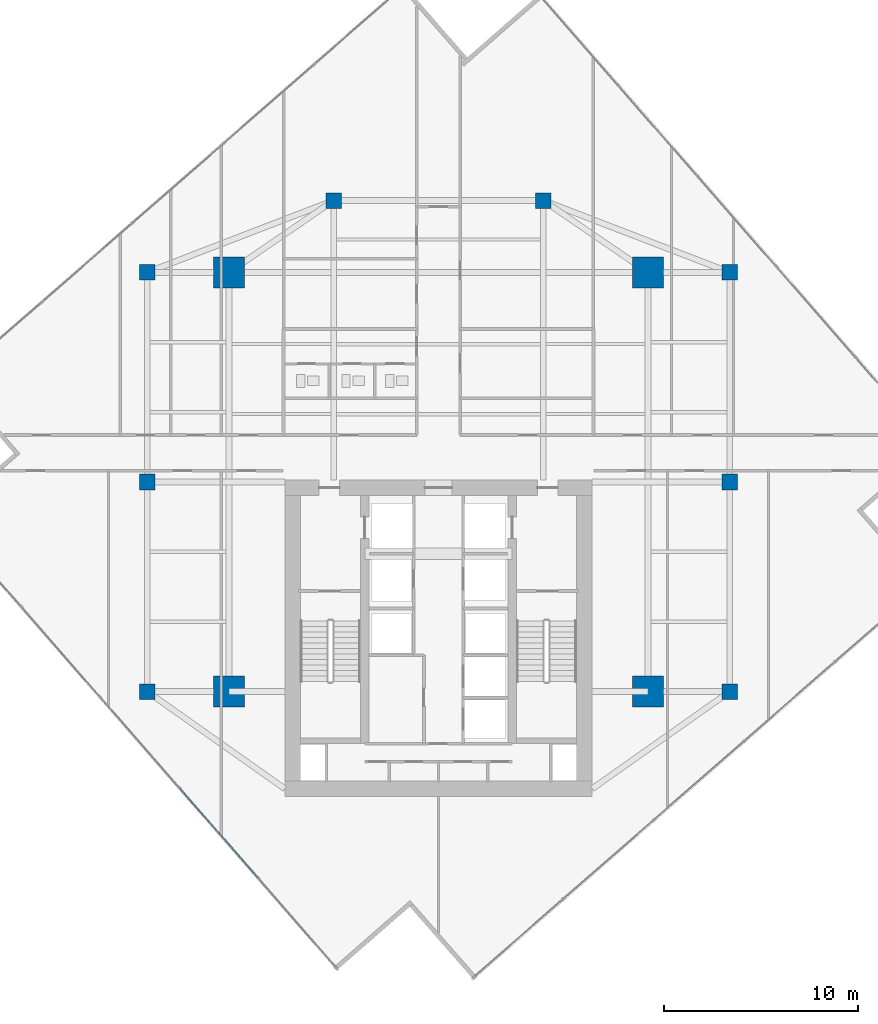
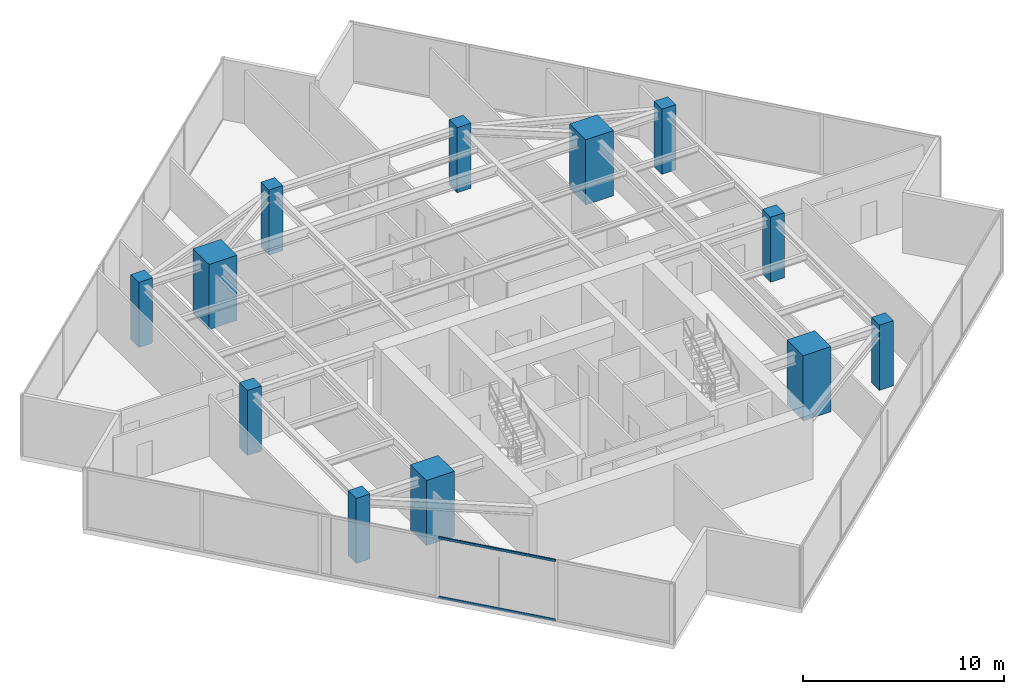
# One storey, part 1 of 24: 12 columns, 2 members, 1 element without a shape of its own.
"""IFC4 building model written with IfcOpenShell, lengths in metres."""

from ifc_helpers import new_model, si_unit, direction, frame, origin, origin_2d, place, context, subcontext, project, spatial, rectangle, hollow_rectangle, extrude, source, transform, mapped, material, material_profile, profile_set, type_object, type_shapes, element, aggregate, save


model = new_model("IFC4")

# Units and contexts
model_context = context("Model", 3, precision=1e-05, world=origin(), true_north=direction((0.0, 1.0)))
body_context = subcontext(model_context, "Body", "Model", "MODEL_VIEW")
ifc_project = project(units=[si_unit("LENGTHUNIT", "METRE"), si_unit("AREAUNIT", "SQUARE_METRE"), si_unit("VOLUMEUNIT", "CUBIC_METRE"), si_unit("PLANEANGLEUNIT", "RADIAN"), si_unit("MASSUNIT", "GRAM", prefix="KILO")], contexts=[model_context])

# Site, building, storey
site_placement = place(None, origin())
site = spatial("IfcSite", under=ifc_project, at=site_placement, CompositionType="ELEMENT")
building_placement = place(site_placement, origin())
building = spatial("IfcBuilding", under=site, at=building_placement, Name="Krantzveldt Concourse Tower", CompositionType="ELEMENT")
storey_placement = place(building_placement, frame((0.0, 0.0, 250.75)))
storey = spatial("IfcBuildingStorey", under=building, at=storey_placement, Name="L61", CompositionType="ELEMENT", Elevation=250.75)

# Columns
ifc_material_1 = material(Name="Concrete C50/60", Category="concrete")
ifc_material_profile_1 = material_profile(ifc_material_1, rectangle(XDim=1.60009765625, YDim=1.60009765625, at=origin_2d()), Name="Concrete C50/60", Category="concrete")
ifc_profile_set_1 = profile_set([ifc_material_profile_1], Name="Concrete C50/60 - RC 1600x1600")
column_type_1 = type_object("IfcColumnType", Name="COL-MC-1600", PredefinedType="USERDEFINED", material=ifc_profile_set_1)
shared_shape_1 = source(origin(), body_context, "Body", "SweptSolid", [
    extrude(rectangle(XDim=1.60009765625, YDim=1.60009765625, at=origin_2d()), origin(), (0.0, 0.0, 1.0), 3.949951171875),
])
type_shapes(column_type_1, [shared_shape_1])
for number, where, z_axis, x_axis, name in (
    (1, (25.199951171875, 15.89990234375, 0.0), (0.0, 0.0, 1.0), (1.0, 0.0, 0.0), "MC-SW-L61"),
    (2, (46.800048828125, 15.89990234375, 0.0), (0.0, 0.0, 1.0), (1.0, 0.0, 0.0), "MC-SE-L61"),
    (3, (46.800048828125, 37.5, 0.0), (0.0, 0.0, 1.0), (1.0, 0.0, 0.0), "MC-NE-L61"),
    (4, (25.199951171875, 37.5, 0.0), (0.0, 0.0, 1.0), (1.0, 0.0, 0.0), "MC-NW-L61"),
):
    element("IfcColumn", number, at=place(storey_placement, frame(where, z_axis=z_axis, x_axis=x_axis)), inside=storey, type_object=column_type_1, Name=name, ObjectType="MEGA COLUMN", PredefinedType="USERDEFINED", context=body_context, shape_type="MappedRepresentation", body=[
        mapped(shared_shape_1, transform((0.0, 0.0, 0.0), x_axis=(1.0, 0.0, 0.0), y_axis=(0.0, 1.0, 0.0), z_axis=(0.0, 0.0, 1.0), scale=1.0)),
    ])
ifc_material_profile_2 = material_profile(ifc_material_1, rectangle(XDim=0.800048828125, YDim=0.800048828125, at=origin_2d()), Name="Concrete C50/60", Category="concrete")
ifc_profile_set_2 = profile_set([ifc_material_profile_2], Name="Concrete C50/60 - RC 800x800")
column_type_2 = type_object("IfcColumnType", Name="COL-C-Z4", PredefinedType="COLUMN", material=ifc_profile_set_2)
shared_shape_2 = source(origin(), body_context, "Body", "SweptSolid", [
    extrude(rectangle(XDim=0.800048828125, YDim=0.800048828125, at=origin_2d()), origin(), (0.0, 0.0, 1.0), 3.949951171875),
])
type_shapes(column_type_2, [shared_shape_2])
for number, where, z_axis, x_axis, name in (
    (5, (21.0, 15.89990234375, 0.0), (0.0, 0.0, 1.0), (1.0, 0.0, 0.0), "PC-R01-L61"),
    (6, (21.0, 26.699951171875, 0.0), (0.0, 0.0, 1.0), (1.0, 0.0, 0.0), "PC-R02-L61"),
    (7, (21.0, 37.5, 0.0), (0.0, 0.0, 1.0), (1.0, 0.0, 0.0), "PC-R03-L61"),
    (8, (30.60009765625, 41.199951171875, 0.0), (0.0, 0.0, 1.0), (1.0, 0.0, 0.0), "PC-R04-L61"),
    (9, (41.39990234375, 41.199951171875, 0.0), (0.0, 0.0, 1.0), (1.0, 0.0, 0.0), "PC-R05-L61"),
    (10, (51.0, 37.5, 0.0), (0.0, 0.0, 1.0), (1.0, 0.0, 0.0), "PC-R06-L61"),
    (11, (51.0, 26.699951171875, 0.0), (0.0, 0.0, 1.0), (1.0, 0.0, 0.0), "PC-R07-L61"),
    (12, (51.0, 15.89990234375, 0.0), (0.0, 0.0, 1.0), (1.0, 0.0, 0.0), "PC-R08-L61"),
):
    element("IfcColumn", number, at=place(storey_placement, frame(where, z_axis=z_axis, x_axis=x_axis)), inside=storey, type_object=column_type_2, Name=name, PredefinedType="COLUMN", context=body_context, shape_type="MappedRepresentation", body=[
        mapped(shared_shape_2, transform((0.0, 0.0, 0.0), x_axis=(1.0, 0.0, 0.0), y_axis=(0.0, 1.0, 0.0), z_axis=(0.0, 0.0, 1.0), scale=1.0)),
    ])

# Curtain wall, members
ifc_material_2 = material(Name="Anodised aluminium 6063-T6", Category="aluminium")
curtain_wall_type = type_object("IfcCurtainWallType", Name="CW3", PredefinedType="USERDEFINED", material=ifc_material_2)
curtain_wall_placement = place(storey_placement, origin())
curtain_wall = element("IfcCurtainWall", 13, at=curtain_wall_placement, inside=storey, type_object=curtain_wall_type, Name="CW-L61-F04", ObjectType="UNITISED CURTAIN WALL", PredefinedType="USERDEFINED")
ifc_material_profile_3 = material_profile(ifc_material_2, hollow_rectangle(XDim=0.070068359375, YDim=0.139892578125, WallThickness=0.0048828125, at=origin_2d()), Name="Anodised aluminium 6063-T6", Category="aluminium")
ifc_profile_set_3 = profile_set([ifc_material_profile_3], Name="Anodised aluminium 6063-T6 - ALU-TRAN 140x70x5")
member_type = type_object("IfcMemberType", Name="CW-TRN-150", PredefinedType="USERDEFINED", material=ifc_profile_set_3)
shared_shape_3 = source(origin(), body_context, "Body", "SweptSolid", [
    extrude(hollow_rectangle(XDim=0.070068359375, YDim=0.139892578125, WallThickness=0.0048828125, at=origin_2d()), origin(), (0.0, 0.0, 1.0), 6.130126953125),
])
type_shapes(member_type, [shared_shape_3])
member_1_placement = place(storey_placement, frame((22.6875, 10.914794921875, 0.034912109375), z_axis=(0.657697827635, -0.753281864593, 0.0), x_axis=(0.753281864593, 0.657697827635, 0.0)))
member_1 = element("IfcMember", 14, at=member_1_placement, type_object=member_type, Name="CW-Z34 transom 4.1", ObjectType="TRANSOM", PredefinedType="USERDEFINED", context=body_context, shape_type="MappedRepresentation", body=[
    mapped(shared_shape_3, transform((0.0, 0.0, 0.0), x_axis=(1.0, 0.0, 0.0), y_axis=(0.0, 1.0, 0.0), z_axis=(0.0, 0.0, 1.0), scale=1.0)),
])
member_2_placement = place(storey_placement, frame((22.6875, 10.914794921875, 3.635009765625), z_axis=(0.657697827635, -0.753281864593, 0.0), x_axis=(0.753281864593, 0.657697827635, 0.0)))
member_2 = element("IfcMember", 15, at=member_2_placement, type_object=member_type, Name="CW-Z34 transom 4.2", ObjectType="TRANSOM", PredefinedType="USERDEFINED", context=body_context, shape_type="MappedRepresentation", body=[
    mapped(shared_shape_3, transform((0.0, 0.0, 0.0), x_axis=(1.0, 0.0, 0.0), y_axis=(0.0, 1.0, 0.0), z_axis=(0.0, 0.0, 1.0), scale=1.0)),
])
aggregate(curtain_wall, [member_1, member_2])

save(model, "model.ifc")
